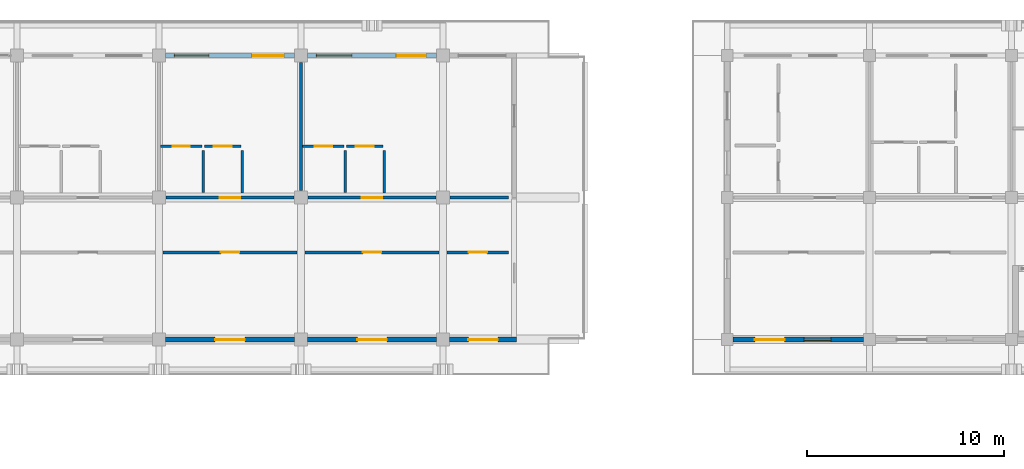
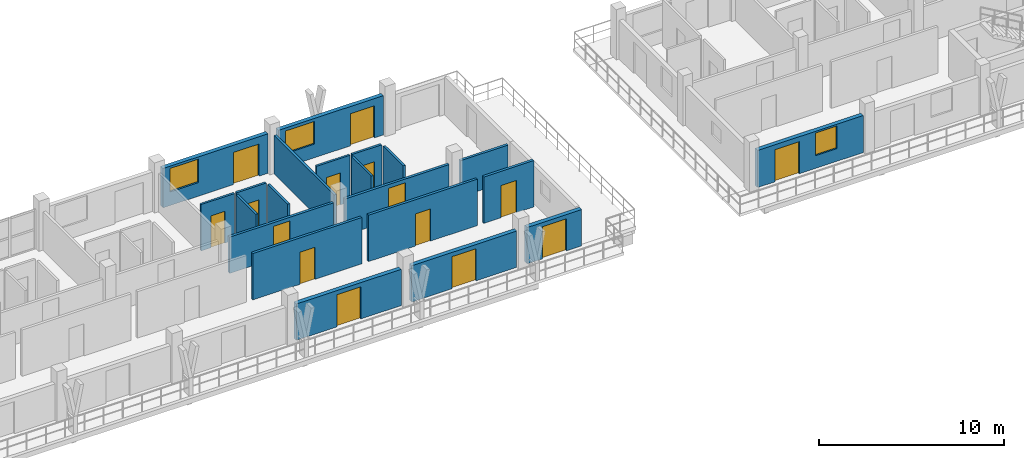
# One storey, part 47 of 75: 21 walls, 15 doors, 3 windows, 18 openings.
"""IFC4 building model written with IfcOpenShell, lengths in metres."""

from ifc_helpers import new_model, si_unit, direction, frame, frame_2d, origin, place, context, subcontext, project, spatial, rectangle, extrude, material, layer, layer_set, type_object, element, fill, save


model = new_model("IFC4")

# Units and contexts
model_context = context("Model", 3, precision=1e-05, world=origin(), true_north=direction((0.0, 1.0)))
body_context = subcontext(model_context, "Body", "Model", "MODEL_VIEW")
ifc_project = project(units=[si_unit("LENGTHUNIT", "METRE"), si_unit("AREAUNIT", "SQUARE_METRE"), si_unit("VOLUMEUNIT", "CUBIC_METRE"), si_unit("PLANEANGLEUNIT", "RADIAN"), si_unit("MASSUNIT", "GRAM", prefix="KILO")], contexts=[model_context])

# Site, building, storey
site_placement = place(None, origin())
site = spatial("IfcSite", under=ifc_project, at=site_placement, CompositionType="ELEMENT")
building_placement = place(site_placement, origin())
building = spatial("IfcBuilding", under=site, at=building_placement, Name="Suanplinth Sawtooth Commons", CompositionType="ELEMENT")
storey_placement = place(building_placement, frame((0.0, 0.0, 18.60009765625)))
storey = spatial("IfcBuildingStorey", under=building, at=storey_placement, Name="L05", CompositionType="ELEMENT", Elevation=18.60009765625)

# Wall, openings, door, window
ifc_material_1 = material(Name="Precast concrete C40/50", Category="concrete")
ifc_layer_1 = layer(ifc_material_1, 0.260009765625, Name="Insulated precast courtyard facade wall 260mm")
ifc_layer_set_1 = layer_set([ifc_layer_1], Name="Precast concrete C40/50")
wall_type_1 = type_object("IfcWallType", Name="W-EX02", PredefinedType="ELEMENTEDWALL", material=ifc_layer_set_1)
wall_1_placement = place(storey_placement, frame((93.925048828125, 122.39990234375, 0.0), z_axis=(0.0, 0.0, 1.0), x_axis=(1.0, 0.0, 0.0)))
wall_1 = element("IfcWall", 1, at=wall_1_placement, inside=storey, type_object=wall_type_1, Name="Facade Wall W-L05-A-N-13", PredefinedType="ELEMENTEDWALL", context=body_context, shape_type="SweptSolid", body=[
    extrude(rectangle(XDim=6.550048828125, YDim=0.260009765625, at=frame_2d((3.27490234375, 0.0))), origin(), (0.0, 0.0, 1.0), 2.594970703125),
])
opening_1_placement = place(wall_1_placement, frame((4.39990234375, 0.0, 0.0)))
opening_1 = element("IfcOpeningElement", 2, at=opening_1_placement, cuts=wall_1, Name="Opening ED0413", PredefinedType="OPENING", context=body_context, shape_type="SweptSolid", body=[
    extrude(rectangle(XDim=1.60009765625, YDim=2.1201171875, at=frame_2d((0.800048828125, 1.06005859375))), frame((0.0, 0.14501953125, 0.0), z_axis=(0.0, -1.0, 0.0), x_axis=(1.0, 0.0, 0.0)), (0.0, 0.0, 1.0), 0.289794921875),
])
opening_2_placement = place(wall_1_placement, frame((0.449951171875, 0.0, 0.89990234375)))
opening_2 = element("IfcOpeningElement", 3, at=opening_2_placement, cuts=wall_1, Name="Opening W0505", PredefinedType="OPENING", context=body_context, shape_type="SweptSolid", body=[
    extrude(rectangle(XDim=1.75, YDim=1.550048828125, at=frame_2d((0.875, 0.77490234375))), frame((0.0, 0.14501953125, 0.0), z_axis=(0.0, -1.0, 0.0), x_axis=(1.0, 0.0, 0.0)), (0.0, 0.0, 1.0), 0.289794921875),
])
ifc_material_2 = material(Name="Anodized aluminium and low-E glass", Category="aluminium")
door_type_1 = type_object("IfcDoorType", Name="SD-02", OperationType="SLIDING_TO_RIGHT", PredefinedType="DOOR", material=ifc_material_2)
door_1_placement = place(opening_1_placement, frame((1.60009765625, 0.0, 0.0), z_axis=(0.0, 0.0, 1.0), x_axis=(-1.0, 0.0, 0.0)))
door_1 = element("IfcDoor", 4, at=door_1_placement, inside=storey, type_object=door_type_1, Name="Balcony Sliding Door L05-A-N-13", OperationType="SLIDING_TO_RIGHT", OverallHeight=2.1201171875, OverallWidth=1.60009765625, PredefinedType="DOOR", context=body_context, shape_type="SweptSolid", body=[
    extrude(rectangle(XDim=1.60009765625, YDim=2.1201171875, at=frame_2d((0.800048828125, 1.06005859375))), frame((0.0, 0.02490234375, 0.0), z_axis=(0.0, -1.0, 0.0), x_axis=(1.0, 0.0, 0.0)), (0.0, 0.0, 1.0), 0.050048828125),
])
fill(opening_1, door_1)
ifc_material_3 = material(Name="Thermally broken aluminium and low-E double glazing", Category="aluminium")
window_type_1 = type_object("IfcWindowType", Name="WN-26", PartitioningType="DOUBLE_PANEL_VERTICAL", PredefinedType="WINDOW", material=ifc_material_3)
window_1_placement = place(opening_2_placement, origin())
window_1 = element("IfcWindow", 5, at=window_1_placement, inside=storey, type_object=window_type_1, Name="Window L05-A-N-13", OverallHeight=1.550048828125, OverallWidth=1.75, PartitioningType="DOUBLE_PANEL_VERTICAL", PredefinedType="WINDOW", context=body_context, shape_type="SweptSolid", body=[
    extrude(rectangle(XDim=1.75, YDim=1.550048828125, at=frame_2d((0.875, 0.77490234375))), frame((0.0, 0.030029296875, 0.0), z_axis=(0.0, -1.0, 0.0), x_axis=(1.0, 0.0, 0.0)), (0.0, 0.0, 1.0), 0.06005859375),
])
fill(opening_2, window_1)

# Wall, opening, door
wall_2_placement = place(storey_placement, frame((93.925048828125, 108.0, 0.0), z_axis=(0.0, 0.0, 1.0), x_axis=(1.0, 0.0, 0.0)))
wall_2 = element("IfcWall", 6, at=wall_2_placement, inside=storey, type_object=wall_type_1, Name="Courtyard Wall W-L05-A-S-13", PredefinedType="ELEMENTEDWALL", context=body_context, shape_type="SweptSolid", body=[
    extrude(rectangle(XDim=6.550048828125, YDim=0.260009765625, at=frame_2d((3.27490234375, 0.0))), origin(), (0.0, 0.0, 1.0), 2.39501953125),
])
opening_3_placement = place(wall_2_placement, frame((2.52490234375, 0.0, 0.0)))
opening_3 = element("IfcOpeningElement", 7, at=opening_3_placement, cuts=wall_2, Name="Opening ED0414", PredefinedType="OPENING", context=body_context, shape_type="SweptSolid", body=[
    extrude(rectangle(XDim=1.5, YDim=2.1201171875, at=frame_2d((0.75, 1.06005859375))), frame((0.0, 0.14501953125, 0.0), z_axis=(0.0, -1.0, 0.0), x_axis=(1.0, 0.0, 0.0)), (0.0, 0.0, 1.0), 0.289794921875),
])
door_type_2 = type_object("IfcDoorType", Name="SD-03", OperationType="SLIDING_TO_LEFT", PredefinedType="DOOR", material=ifc_material_2)
door_2_placement = place(opening_3_placement, frame((1.5, 0.0, 0.0), z_axis=(0.0, 0.0, 1.0), x_axis=(-1.0, 0.0, 0.0)))
door_2 = element("IfcDoor", 8, at=door_2_placement, inside=storey, type_object=door_type_2, Name="Courtyard Balcony Sliding Door L05-A-S-13", OperationType="SLIDING_TO_LEFT", OverallHeight=2.1201171875, OverallWidth=1.5, PredefinedType="DOOR", context=body_context, shape_type="SweptSolid", body=[
    extrude(rectangle(XDim=1.5, YDim=2.1201171875, at=frame_2d((0.75, 1.06005859375))), frame((0.0, 0.02490234375, 0.0), z_axis=(0.0, -1.0, 0.0), x_axis=(1.0, 0.0, 0.0)), (0.0, 0.0, 1.0), 0.050048828125),
])
fill(opening_3, door_2)

# Wall, openings, door, window
wall_3_placement = place(storey_placement, frame((101.125, 122.39990234375, 0.0), z_axis=(0.0, 0.0, 1.0), x_axis=(1.0, 0.0, 0.0)))
wall_3 = element("IfcWall", 9, at=wall_3_placement, inside=storey, type_object=wall_type_1, Name="Facade Wall W-L05-A-N-14", PredefinedType="ELEMENTEDWALL", context=body_context, shape_type="SweptSolid", body=[
    extrude(rectangle(XDim=6.550048828125, YDim=0.260009765625, at=frame_2d((3.27490234375, 0.0))), origin(), (0.0, 0.0, 1.0), 2.594970703125),
])
opening_4_placement = place(wall_3_placement, frame((4.5, 0.0, 0.0)))
opening_4 = element("IfcOpeningElement", 10, at=opening_4_placement, cuts=wall_3, Name="Opening ED0415", PredefinedType="OPENING", context=body_context, shape_type="SweptSolid", body=[
    extrude(rectangle(XDim=1.5, YDim=2.1201171875, at=frame_2d((0.75, 1.06005859375))), frame((0.0, 0.14501953125, 0.0), z_axis=(0.0, -1.0, 0.0), x_axis=(1.0, 0.0, 0.0)), (0.0, 0.0, 1.0), 0.289794921875),
])
opening_5_placement = place(wall_3_placement, frame((0.449951171875, 0.0, 0.89990234375)))
opening_5 = element("IfcOpeningElement", 11, at=opening_5_placement, cuts=wall_3, Name="Opening W0506", PredefinedType="OPENING", context=body_context, shape_type="SweptSolid", body=[
    extrude(rectangle(XDim=1.800048828125, YDim=1.5, at=frame_2d((0.89990234375, 0.75))), frame((0.0, 0.14501953125, 0.0), z_axis=(0.0, -1.0, 0.0), x_axis=(1.0, 0.0, 0.0)), (0.0, 0.0, 1.0), 0.289794921875),
])
door_3_placement = place(opening_4_placement, frame((1.5, 0.0, 0.0), z_axis=(0.0, 0.0, 1.0), x_axis=(-1.0, 0.0, 0.0)))
door_3 = element("IfcDoor", 12, at=door_3_placement, inside=storey, type_object=door_type_2, Name="Balcony Sliding Door L05-A-N-14", OperationType="SLIDING_TO_LEFT", OverallHeight=2.1201171875, OverallWidth=1.5, PredefinedType="DOOR", context=body_context, shape_type="SweptSolid", body=[
    extrude(rectangle(XDim=1.5, YDim=2.1201171875, at=frame_2d((0.75, 1.06005859375))), frame((0.0, 0.02490234375, 0.0), z_axis=(0.0, -1.0, 0.0), x_axis=(1.0, 0.0, 0.0)), (0.0, 0.0, 1.0), 0.050048828125),
])
fill(opening_4, door_3)
window_type_2 = type_object("IfcWindowType", Name="WN-01", PartitioningType="DOUBLE_PANEL_VERTICAL", PredefinedType="WINDOW", material=ifc_material_3)
window_2_placement = place(opening_5_placement, origin())
window_2 = element("IfcWindow", 13, at=window_2_placement, inside=storey, type_object=window_type_2, Name="Window L05-A-N-14", OverallHeight=1.5, OverallWidth=1.800048828125, PartitioningType="DOUBLE_PANEL_VERTICAL", PredefinedType="WINDOW", context=body_context, shape_type="SweptSolid", body=[
    extrude(rectangle(XDim=1.800048828125, YDim=1.5, at=frame_2d((0.89990234375, 0.75))), frame((0.0, 0.030029296875, 0.0), z_axis=(0.0, -1.0, 0.0), x_axis=(1.0, 0.0, 0.0)), (0.0, 0.0, 1.0), 0.06005859375),
])
fill(opening_5, window_2)

# Wall, opening, door
wall_4_placement = place(storey_placement, frame((101.125, 108.0, 0.0), z_axis=(0.0, 0.0, 1.0), x_axis=(1.0, 0.0, 0.0)))
wall_4 = element("IfcWall", 14, at=wall_4_placement, inside=storey, type_object=wall_type_1, Name="Courtyard Wall W-L05-A-S-14", PredefinedType="ELEMENTEDWALL", context=body_context, shape_type="SweptSolid", body=[
    extrude(rectangle(XDim=6.550048828125, YDim=0.260009765625, at=frame_2d((3.27490234375, 0.0))), origin(), (0.0, 0.0, 1.0), 2.39501953125),
])
opening_6_placement = place(wall_4_placement, frame((2.52490234375, 0.0, 0.0)))
opening_6 = element("IfcOpeningElement", 15, at=opening_6_placement, cuts=wall_4, Name="Opening ED0416", PredefinedType="OPENING", context=body_context, shape_type="SweptSolid", body=[
    extrude(rectangle(XDim=1.5, YDim=2.1201171875, at=frame_2d((0.75, 1.06005859375))), frame((0.0, 0.14501953125, 0.0), z_axis=(0.0, -1.0, 0.0), x_axis=(1.0, 0.0, 0.0)), (0.0, 0.0, 1.0), 0.289794921875),
])
door_4_placement = place(opening_6_placement, frame((1.5, 0.0, 0.0), z_axis=(0.0, 0.0, 1.0), x_axis=(-1.0, 0.0, 0.0)))
door_4 = element("IfcDoor", 16, at=door_4_placement, inside=storey, type_object=door_type_2, Name="Courtyard Balcony Sliding Door L05-A-S-14", OperationType="SLIDING_TO_LEFT", OverallHeight=2.1201171875, OverallWidth=1.5, PredefinedType="DOOR", context=body_context, shape_type="SweptSolid", body=[
    extrude(rectangle(XDim=1.5, YDim=2.1201171875, at=frame_2d((0.75, 1.06005859375))), frame((0.0, 0.02490234375, 0.0), z_axis=(0.0, -1.0, 0.0), x_axis=(1.0, 0.0, 0.0)), (0.0, 0.0, 1.0), 0.050048828125),
])
fill(opening_6, door_4)

wall_5_placement = place(storey_placement, frame((108.324951171875, 108.0, 0.0), z_axis=(0.0, 0.0, 1.0), x_axis=(1.0, 0.0, 0.0)))
wall_5 = element("IfcWall", 17, at=wall_5_placement, inside=storey, type_object=wall_type_1, Name="Courtyard Wall W-L05-A-S-15", PredefinedType="ELEMENTEDWALL", context=body_context, shape_type="SweptSolid", body=[
    extrude(rectangle(XDim=3.405029296875, YDim=0.260009765625, at=frame_2d((1.70263671875, 0.0))), origin(), (0.0, 0.0, 1.0), 2.39501953125),
])
opening_7_placement = place(wall_5_placement, frame((0.951904296875, 0.0, 0.0)))
opening_7 = element("IfcOpeningElement", 18, at=opening_7_placement, cuts=wall_5, Name="Opening ED0418", PredefinedType="OPENING", context=body_context, shape_type="SweptSolid", body=[
    extrude(rectangle(XDim=1.5, YDim=2.1201171875, at=frame_2d((0.75, 1.06005859375))), frame((0.0, 0.14501953125, 0.0), z_axis=(0.0, -1.0, 0.0), x_axis=(1.0, 0.0, 0.0)), (0.0, 0.0, 1.0), 0.289794921875),
])
door_5_placement = place(opening_7_placement, frame((1.5, 0.0, 0.0), z_axis=(0.0, 0.0, 1.0), x_axis=(-1.0, 0.0, 0.0)))
door_5 = element("IfcDoor", 19, at=door_5_placement, inside=storey, type_object=door_type_2, Name="Courtyard Balcony Sliding Door L05-A-S-15", OperationType="SLIDING_TO_LEFT", OverallHeight=2.1201171875, OverallWidth=1.5, PredefinedType="DOOR", context=body_context, shape_type="SweptSolid", body=[
    extrude(rectangle(XDim=1.5, YDim=2.1201171875, at=frame_2d((0.75, 1.06005859375))), frame((0.0, 0.02490234375, 0.0), z_axis=(0.0, -1.0, 0.0), x_axis=(1.0, 0.0, 0.0)), (0.0, 0.0, 1.0), 0.050048828125),
])
fill(opening_7, door_5)

# Wall, openings, door, window
wall_6_placement = place(storey_placement, frame((122.699951171875, 108.0, 0.0), z_axis=(0.0, 0.0, 1.0), x_axis=(1.0, 0.0, 0.0)))
wall_6 = element("IfcWall", 20, at=wall_6_placement, inside=storey, type_object=wall_type_1, Name="Facade Wall W-L05-B-S-17-15", PredefinedType="ELEMENTEDWALL", context=body_context, shape_type="SweptSolid", body=[
    extrude(rectangle(XDim=6.60009765625, YDim=0.260009765625, at=frame_2d((3.300048828125, 0.0))), origin(), (0.0, 0.0, 1.0), 2.44482421875),
])
opening_8_placement = place(wall_6_placement, frame((1.10009765625, 0.0, 0.0)))
opening_8 = element("IfcOpeningElement", 21, at=opening_8_placement, cuts=wall_6, Name="Opening ED0421", PredefinedType="OPENING", context=body_context, shape_type="SweptSolid", body=[
    extrude(rectangle(XDim=1.5, YDim=2.1201171875, at=frame_2d((0.75, 1.06005859375))), frame((0.0, 0.14501953125, 0.0), z_axis=(0.0, -1.0, 0.0), x_axis=(1.0, 0.0, 0.0)), (0.0, 0.0, 1.0), 0.289794921875),
])
opening_9_placement = place(wall_6_placement, frame((3.60009765625, 0.0, 0.8349609375)))
opening_9 = element("IfcOpeningElement", 22, at=opening_9_placement, cuts=wall_6, Name="Opening W0509", PredefinedType="OPENING", context=body_context, shape_type="SweptSolid", body=[
    extrude(rectangle(XDim=1.35009765625, YDim=1.5, at=frame_2d((0.675048828125, 0.75))), frame((0.0, 0.14501953125, 0.0), z_axis=(0.0, -1.0, 0.0), x_axis=(1.0, 0.0, 0.0)), (0.0, 0.0, 1.0), 0.289794921875),
])
door_6_placement = place(opening_8_placement, frame((1.5, 0.0, 0.0), z_axis=(0.0, 0.0, 1.0), x_axis=(-1.0, 0.0, 0.0)))
door_6 = element("IfcDoor", 23, at=door_6_placement, inside=storey, type_object=door_type_2, Name="Courtyard Balcony Door L05-B-17", OperationType="SLIDING_TO_LEFT", OverallHeight=2.1201171875, OverallWidth=1.5, PredefinedType="DOOR", context=body_context, shape_type="SweptSolid", body=[
    extrude(rectangle(XDim=1.5, YDim=2.1201171875, at=frame_2d((0.75, 1.06005859375))), frame((0.0, 0.02490234375, 0.0), z_axis=(0.0, -1.0, 0.0), x_axis=(1.0, 0.0, 0.0)), (0.0, 0.0, 1.0), 0.050048828125),
])
fill(opening_8, door_6)
window_type_3 = type_object("IfcWindowType", Name="WN-14", PartitioningType="SINGLE_PANEL", PredefinedType="WINDOW", material=ifc_material_3)
window_3_placement = place(opening_9_placement, origin())
window_3 = element("IfcWindow", 24, at=window_3_placement, inside=storey, type_object=window_type_3, Name="Courtyard Window L05-B-17", OverallHeight=1.5, OverallWidth=1.35009765625, PartitioningType="SINGLE_PANEL", PredefinedType="WINDOW", context=body_context, shape_type="SweptSolid", body=[
    extrude(rectangle(XDim=1.35009765625, YDim=1.5, at=frame_2d((0.675048828125, 0.75))), frame((0.0, 0.030029296875, 0.0), z_axis=(0.0, -1.0, 0.0), x_axis=(1.0, 0.0, 0.0)), (0.0, 0.0, 1.0), 0.06005859375),
])
fill(opening_9, window_3)

# Wall, opening, door
ifc_layer_2 = layer(ifc_material_1, 0.159912109375, Name="Fire-rated corridor and lobby wall 160mm")
ifc_layer_set_2 = layer_set([ifc_layer_2], Name="Precast concrete C40/50")
wall_type_2 = type_object("IfcWallType", Name="W-FW01", PredefinedType="PARTITIONING", material=ifc_layer_set_2)
wall_7_placement = place(storey_placement, frame((93.955078125, 115.199951171875, 0.0), z_axis=(0.0, 0.0, 1.0), x_axis=(1.0, 0.0, 0.0)))
wall_7 = element("IfcWall", 25, at=wall_7_placement, inside=storey, type_object=wall_type_2, Name="W-A-L05-U10-COR", PredefinedType="PARTITIONING", context=body_context, shape_type="SweptSolid", body=[
    extrude(rectangle(XDim=6.489990234375, YDim=0.159912109375, at=frame_2d((3.2451171875, 0.0))), origin(), (0.0, 0.0, 1.0), 2.39501953125),
])
opening_10_placement = place(wall_7_placement, frame((2.719970703125, 0.0, 0.0)))
opening_10 = element("IfcOpeningElement", 26, at=opening_10_placement, cuts=wall_7, Name="Opening FD1230", PredefinedType="OPENING", context=body_context, shape_type="SweptSolid", body=[
    extrude(rectangle(XDim=1.050048828125, YDim=2.14990234375, at=frame_2d((0.52490234375, 1.074951171875))), frame((0.0, 0.0947265625, 0.0), z_axis=(0.0, -1.0, 0.0), x_axis=(1.0, 0.0, 0.0)), (0.0, 0.0, 1.0), 0.189697265625),
])
ifc_material_4 = material(Name="Teak hardwood fire-rated door assembly", Category="wood")
door_type_3 = type_object("IfcDoorType", Name="FD-04", OperationType="NOTDEFINED", PredefinedType="DOOR", material=ifc_material_4)
door_7_placement = place(opening_10_placement, origin())
door_7 = element("IfcDoor", 27, at=door_7_placement, inside=storey, type_object=door_type_3, Name="Unit Entrance Door FD1230", OperationType="SINGLE_SWING_RIGHT", OverallHeight=2.14990234375, OverallWidth=1.050048828125, PredefinedType="DOOR", context=body_context, shape_type="SweptSolid", body=[
    extrude(rectangle(XDim=1.050048828125, YDim=2.14990234375, at=frame_2d((0.52490234375, 1.074951171875))), frame((0.0, 0.02490234375, 0.0), z_axis=(0.0, -1.0, 0.0), x_axis=(1.0, 0.0, 0.0)), (0.0, 0.0, 1.0), 0.050048828125),
])
fill(opening_10, door_7)

wall_8_placement = place(storey_placement, frame((101.155029296875, 115.199951171875, 0.0), z_axis=(0.0, 0.0, 1.0), x_axis=(1.0, 0.0, 0.0)))
wall_8 = element("IfcWall", 28, at=wall_8_placement, inside=storey, type_object=wall_type_2, Name="W-A-L05-U11-COR-S1", PredefinedType="PARTITIONING", context=body_context, shape_type="SweptSolid", body=[
    extrude(rectangle(XDim=6.489990234375, YDim=0.159912109375, at=frame_2d((3.2451171875, 0.0))), origin(), (0.0, 0.0, 1.0), 2.39501953125),
])
opening_11_placement = place(wall_8_placement, frame((2.719970703125, 0.0, 0.0)))
opening_11 = element("IfcOpeningElement", 29, at=opening_11_placement, cuts=wall_8, Name="Opening FD1233", PredefinedType="OPENING", context=body_context, shape_type="SweptSolid", body=[
    extrude(rectangle(XDim=1.050048828125, YDim=2.14990234375, at=frame_2d((0.52490234375, 1.074951171875))), frame((0.0, 0.0947265625, 0.0), z_axis=(0.0, -1.0, 0.0), x_axis=(1.0, 0.0, 0.0)), (0.0, 0.0, 1.0), 0.189697265625),
])
door_8_placement = place(opening_11_placement, origin())
door_8 = element("IfcDoor", 30, at=door_8_placement, inside=storey, type_object=door_type_3, Name="Unit Entrance Door FD1233", OperationType="SINGLE_SWING_LEFT", OverallHeight=2.14990234375, OverallWidth=1.050048828125, PredefinedType="DOOR", context=body_context, shape_type="SweptSolid", body=[
    extrude(rectangle(XDim=1.050048828125, YDim=2.14990234375, at=frame_2d((0.52490234375, 1.074951171875))), frame((0.0, 0.02490234375, 0.0), z_axis=(0.0, -1.0, 0.0), x_axis=(1.0, 0.0, 0.0)), (0.0, 0.0, 1.0), 0.050048828125),
])
fill(opening_11, door_8)

# Wall
wall_9_placement = place(storey_placement, frame((108.35498046875, 115.199951171875, 0.0), z_axis=(0.0, 0.0, 1.0), x_axis=(1.0, 0.0, 0.0)))
element("IfcWall", 31, at=wall_9_placement, inside=storey, type_object=wall_type_2, Name="W-A-L05-U11-COR-S2", PredefinedType="PARTITIONING", context=body_context, shape_type="SweptSolid", body=[
    extrude(rectangle(XDim=2.965087890625, YDim=0.159912109375, at=frame_2d((1.482421875, 0.0))), origin(), (0.0, 0.0, 1.0), 2.39501953125),
])

# Wall, opening, door
wall_10_placement = place(storey_placement, frame((93.800048828125, 112.419921875, 0.0), z_axis=(0.0, 0.0, 1.0), x_axis=(1.0, 0.0, 0.0)))
wall_10 = element("IfcWall", 32, at=wall_10_placement, inside=storey, type_object=wall_type_2, Name="W-A-L05-COURTROOM-20-COR", PredefinedType="PARTITIONING", context=body_context, shape_type="SweptSolid", body=[
    extrude(rectangle(XDim=6.800048828125, YDim=0.159912109375, at=frame_2d((3.39990234375, 0.0))), origin(), (0.0, 0.0, 1.0), 3.059814453125),
])
opening_12_placement = place(wall_10_placement, frame((2.929931640625, 0.0, 0.0)))
opening_12 = element("IfcOpeningElement", 33, at=opening_12_placement, cuts=wall_10, Name="Opening D1245", PredefinedType="OPENING", context=body_context, shape_type="SweptSolid", body=[
    extrude(rectangle(XDim=0.93994140625, YDim=2.1201171875, at=frame_2d((0.469970703125, 1.06005859375))), frame((0.0, 0.0947265625, 0.0), z_axis=(0.0, -1.0, 0.0), x_axis=(1.0, 0.0, 0.0)), (0.0, 0.0, 1.0), 0.189697265625),
])
ifc_material_5 = material(Name="Teak hardwood", Category="wood")
door_type_4 = type_object("IfcDoorType", Name="D-15", OperationType="NOTDEFINED", PredefinedType="DOOR", material=ifc_material_5)
door_9_placement = place(opening_12_placement, frame((0.93994140625, 0.0, 0.0), z_axis=(0.0, 0.0, 1.0), x_axis=(-1.0, 0.0, 0.0)))
door_9 = element("IfcDoor", 34, at=door_9_placement, inside=storey, type_object=door_type_4, Name="Study Studio Door D1245", OperationType="SINGLE_SWING_LEFT", OverallHeight=2.1201171875, OverallWidth=0.93994140625, PredefinedType="DOOR", context=body_context, shape_type="SweptSolid", body=[
    extrude(rectangle(XDim=0.93994140625, YDim=2.1201171875, at=frame_2d((0.469970703125, 1.06005859375))), frame((0.0, 0.02490234375, 0.0), z_axis=(0.0, -1.0, 0.0), x_axis=(1.0, 0.0, 0.0)), (0.0, 0.0, 1.0), 0.050048828125),
])
fill(opening_12, door_9)

wall_11_placement = place(storey_placement, frame((101.0, 112.419921875, 0.0), z_axis=(0.0, 0.0, 1.0), x_axis=(1.0, 0.0, 0.0)))
wall_11 = element("IfcWall", 35, at=wall_11_placement, inside=storey, type_object=wall_type_2, Name="W-A-L05-COURTROOM-21-COR", PredefinedType="PARTITIONING", context=body_context, shape_type="SweptSolid", body=[
    extrude(rectangle(XDim=6.800048828125, YDim=0.159912109375, at=frame_2d((3.39990234375, 0.0))), origin(), (0.0, 0.0, 1.0), 3.059814453125),
])
opening_13_placement = place(wall_11_placement, frame((2.929931640625, 0.0, 0.0)))
opening_13 = element("IfcOpeningElement", 36, at=opening_13_placement, cuts=wall_11, Name="Opening D1246", PredefinedType="OPENING", context=body_context, shape_type="SweptSolid", body=[
    extrude(rectangle(XDim=0.93994140625, YDim=2.1201171875, at=frame_2d((0.469970703125, 1.06005859375))), frame((0.0, 0.0947265625, 0.0), z_axis=(0.0, -1.0, 0.0), x_axis=(1.0, 0.0, 0.0)), (0.0, 0.0, 1.0), 0.189697265625),
])
door_10_placement = place(opening_13_placement, frame((0.93994140625, 0.0, 0.0), z_axis=(0.0, 0.0, 1.0), x_axis=(-1.0, 0.0, 0.0)))
door_10 = element("IfcDoor", 37, at=door_10_placement, inside=storey, type_object=door_type_4, Name="Study Studio Door D1246", OperationType="SINGLE_SWING_RIGHT", OverallHeight=2.1201171875, OverallWidth=0.93994140625, PredefinedType="DOOR", context=body_context, shape_type="SweptSolid", body=[
    extrude(rectangle(XDim=0.93994140625, YDim=2.1201171875, at=frame_2d((0.469970703125, 1.06005859375))), frame((0.0, 0.02490234375, 0.0), z_axis=(0.0, -1.0, 0.0), x_axis=(1.0, 0.0, 0.0)), (0.0, 0.0, 1.0), 0.050048828125),
])
fill(opening_13, door_10)

wall_12_placement = place(storey_placement, frame((108.199951171875, 112.419921875, 0.0), z_axis=(0.0, 0.0, 1.0), x_axis=(1.0, 0.0, 0.0)))
wall_12 = element("IfcWall", 38, at=wall_12_placement, inside=storey, type_object=wall_type_2, Name="W-A-L05-COURTROOM-22-COR", PredefinedType="PARTITIONING", context=body_context, shape_type="SweptSolid", body=[
    extrude(rectangle(XDim=3.1201171875, YDim=0.159912109375, at=frame_2d((1.56005859375, 0.0))), origin(), (0.0, 0.0, 1.0), 3.059814453125),
])
opening_14_placement = place(wall_12_placement, frame((1.090087890625, 0.0, 0.0)))
opening_14 = element("IfcOpeningElement", 39, at=opening_14_placement, cuts=wall_12, Name="Opening D1247", PredefinedType="OPENING", context=body_context, shape_type="SweptSolid", body=[
    extrude(rectangle(XDim=0.93994140625, YDim=2.1201171875, at=frame_2d((0.469970703125, 1.06005859375))), frame((0.0, 0.0947265625, 0.0), z_axis=(0.0, -1.0, 0.0), x_axis=(1.0, 0.0, 0.0)), (0.0, 0.0, 1.0), 0.189697265625),
])
door_11_placement = place(opening_14_placement, frame((0.93994140625, 0.0, 0.0), z_axis=(0.0, 0.0, 1.0), x_axis=(-1.0, 0.0, 0.0)))
door_11 = element("IfcDoor", 40, at=door_11_placement, inside=storey, type_object=door_type_4, Name="Study Studio Door D1247", OperationType="SINGLE_SWING_LEFT", OverallHeight=2.1201171875, OverallWidth=0.93994140625, PredefinedType="DOOR", context=body_context, shape_type="SweptSolid", body=[
    extrude(rectangle(XDim=0.93994140625, YDim=2.1201171875, at=frame_2d((0.469970703125, 1.06005859375))), frame((0.0, 0.02490234375, 0.0), z_axis=(0.0, -1.0, 0.0), x_axis=(1.0, 0.0, 0.0)), (0.0, 0.0, 1.0), 0.050048828125),
])
fill(opening_14, door_11)

# Wall
ifc_layer_3 = layer(ifc_material_1, 0.14990234375, Name="Acoustic precast party demising wall 150mm")
ifc_layer_set_3 = layer_set([ifc_layer_3], Name="Precast concrete C40/50")
wall_type_3 = type_object("IfcWallType", Name="W-FW02", PredefinedType="PARTITIONING", material=ifc_layer_set_3)
wall_13_placement = place(storey_placement, frame((100.800048828125, 115.554931640625, 0.0), z_axis=(0.0, 0.0, 1.0), x_axis=(0.0, 1.0, 0.0)))
element("IfcWall", 41, at=wall_13_placement, inside=storey, type_object=wall_type_3, Name="W-A-L05-U10-PTY", PredefinedType="PARTITIONING", context=body_context, shape_type="SweptSolid", body=[
    extrude(rectangle(XDim=6.489990234375, YDim=0.14990234375, at=frame_2d((3.2451171875, 0.0))), origin(), (0.0, 0.0, 1.0), 2.544921875),
])

# Wall, opening, door
ifc_material_6 = material(Name="Gypsum plasterboard on steel stud", Category="steel")
ifc_layer_4 = layer(ifc_material_6, 0.139892578125, Name="Fire-rated kitchen partition 140mm")
ifc_layer_set_4 = layer_set([ifc_layer_4], Name="Gypsum plasterboard on steel stud")
wall_type_4 = type_object("IfcWallType", Name="W-PT01", PredefinedType="PARTITIONING", material=ifc_layer_set_4)
wall_14_placement = place(storey_placement, frame((95.89990234375, 117.800048828125, 0.0), z_axis=(0.0, 0.0, 1.0), x_axis=(1.0, 0.0, 0.0)))
wall_14 = element("IfcWall", 42, at=wall_14_placement, inside=storey, type_object=wall_type_4, Name="W-A-L05-U10-KIT1", PredefinedType="PARTITIONING", context=body_context, shape_type="SweptSolid", body=[
    extrude(rectangle(XDim=1.85009765625, YDim=0.139892578125, at=frame_2d((0.925048828125, 0.0))), origin(), (0.0, 0.0, 1.0), 3.059814453125),
])
opening_15_placement = place(wall_14_placement, frame((0.465087890625, 0.0, 0.0)))
opening_15 = element("IfcOpeningElement", 43, at=opening_15_placement, cuts=wall_14, Name="Opening D1232", PredefinedType="OPENING", context=body_context, shape_type="SweptSolid", body=[
    extrude(rectangle(XDim=0.919921875, YDim=2.10009765625, at=frame_2d((0.4599609375, 1.050048828125))), frame((0.0, 0.0849609375, 0.0), z_axis=(0.0, -1.0, 0.0), x_axis=(1.0, 0.0, 0.0)), (0.0, 0.0, 1.0), 0.169677734375),
])
door_type_5 = type_object("IfcDoorType", Name="D-02", OperationType="NOTDEFINED", PredefinedType="DOOR", material=ifc_material_5)
door_12_placement = place(opening_15_placement, frame((0.919921875, 0.0, 0.0), z_axis=(0.0, 0.0, 1.0), x_axis=(-1.0, 0.0, 0.0)))
door_12 = element("IfcDoor", 44, at=door_12_placement, inside=storey, type_object=door_type_5, Name="Kitchen Door D1232", OperationType="SINGLE_SWING_RIGHT", OverallHeight=2.10009765625, OverallWidth=0.919921875, PredefinedType="DOOR", context=body_context, shape_type="SweptSolid", body=[
    extrude(rectangle(XDim=0.919921875, YDim=2.10009765625, at=frame_2d((0.4599609375, 1.050048828125))), frame((0.0, 0.02490234375, 0.0), z_axis=(0.0, -1.0, 0.0), x_axis=(1.0, 0.0, 0.0)), (0.0, 0.0, 1.0), 0.050048828125),
])
fill(opening_15, door_12)

# Wall
wall_15_placement = place(storey_placement, frame((97.820068359375, 115.429931640625, 0.0), z_axis=(0.0, 0.0, 1.0), x_axis=(0.0, 1.0, 0.0)))
element("IfcWall", 45, at=wall_15_placement, inside=storey, type_object=wall_type_4, Name="W-A-L05-U10-KIT2", PredefinedType="PARTITIONING", context=body_context, shape_type="SweptSolid", body=[
    extrude(rectangle(XDim=2.150146484375, YDim=0.139892578125, at=frame_2d((1.0751953125, 0.0))), origin(), (0.0, 0.0, 1.0), 3.059814453125),
])

# Wall, opening, door
wall_16_placement = place(storey_placement, frame((103.10009765625, 117.800048828125, 0.0), z_axis=(0.0, 0.0, 1.0), x_axis=(1.0, 0.0, 0.0)))
wall_16 = element("IfcWall", 46, at=wall_16_placement, inside=storey, type_object=wall_type_4, Name="W-A-L05-U11-KIT1", PredefinedType="PARTITIONING", context=body_context, shape_type="SweptSolid", body=[
    extrude(rectangle(XDim=1.849853515625, YDim=0.139892578125, at=frame_2d((0.9248046875, 0.0))), origin(), (0.0, 0.0, 1.0), 3.059814453125),
])
opening_16_placement = place(wall_16_placement, frame((0.465087890625, 0.0, 0.0)))
opening_16 = element("IfcOpeningElement", 47, at=opening_16_placement, cuts=wall_16, Name="Opening D1235", PredefinedType="OPENING", context=body_context, shape_type="SweptSolid", body=[
    extrude(rectangle(XDim=0.919921875, YDim=2.10009765625, at=frame_2d((0.4599609375, 1.050048828125))), frame((0.0, 0.0849609375, 0.0), z_axis=(0.0, -1.0, 0.0), x_axis=(1.0, 0.0, 0.0)), (0.0, 0.0, 1.0), 0.169677734375),
])
door_13_placement = place(opening_16_placement, frame((0.919921875, 0.0, 0.0), z_axis=(0.0, 0.0, 1.0), x_axis=(-1.0, 0.0, 0.0)))
door_13 = element("IfcDoor", 48, at=door_13_placement, inside=storey, type_object=door_type_5, Name="Kitchen Door D1235", OperationType="SINGLE_SWING_LEFT", OverallHeight=2.10009765625, OverallWidth=0.919921875, PredefinedType="DOOR", context=body_context, shape_type="SweptSolid", body=[
    extrude(rectangle(XDim=0.919921875, YDim=2.10009765625, at=frame_2d((0.4599609375, 1.050048828125))), frame((0.0, 0.02490234375, 0.0), z_axis=(0.0, -1.0, 0.0), x_axis=(1.0, 0.0, 0.0)), (0.0, 0.0, 1.0), 0.050048828125),
])
fill(opening_16, door_13)

# Wall
wall_17_placement = place(storey_placement, frame((105.02001953125, 115.429931640625, 0.0), z_axis=(0.0, 0.0, 1.0), x_axis=(0.0, 1.0, 0.0)))
element("IfcWall", 49, at=wall_17_placement, inside=storey, type_object=wall_type_4, Name="W-A-L05-U11-KIT2", PredefinedType="PARTITIONING", context=body_context, shape_type="SweptSolid", body=[
    extrude(rectangle(XDim=2.150146484375, YDim=0.139892578125, at=frame_2d((1.0751953125, 0.0))), origin(), (0.0, 0.0, 1.0), 3.059814453125),
])

# Wall, opening, door
ifc_layer_5 = layer(ifc_material_6, 0.1298828125, Name="Moisture-resistant bathroom partition 130mm")
ifc_layer_set_5 = layer_set([ifc_layer_5], Name="Gypsum plasterboard on steel stud")
wall_type_5 = type_object("IfcWallType", Name="W-PT02", PredefinedType="PARTITIONING", material=ifc_layer_set_5)
wall_18_placement = place(storey_placement, frame((93.679931640625, 117.794921875, 0.0), z_axis=(0.0, 0.0, 1.0), x_axis=(1.0, 0.0, 0.0)))
wall_18 = element("IfcWall", 50, at=wall_18_placement, inside=storey, type_object=wall_type_5, Name="W-A-L05-U10-BTH1", PredefinedType="PARTITIONING", context=body_context, shape_type="SweptSolid", body=[
    extrude(rectangle(XDim=2.10009765625, YDim=0.1298828125, at=frame_2d((1.050048828125, 0.0))), origin(), (0.0, 0.0, 1.0), 3.059814453125),
])
opening_17_placement = place(wall_18_placement, frame((0.610107421875, 0.0, 0.0)))
opening_17 = element("IfcOpeningElement", 51, at=opening_17_placement, cuts=wall_18, Name="Opening D1231", PredefinedType="OPENING", context=body_context, shape_type="SweptSolid", body=[
    extrude(rectangle(XDim=0.8798828125, YDim=2.10009765625, at=frame_2d((0.43994140625, 1.050048828125))), frame((0.0, 0.079833984375, 0.0), z_axis=(0.0, -1.0, 0.0), x_axis=(1.0, 0.0, 0.0)), (0.0, 0.0, 1.0), 0.15966796875),
])
door_type_6 = type_object("IfcDoorType", Name="D-14", OperationType="NOTDEFINED", PredefinedType="DOOR", material=ifc_material_5)
door_14_placement = place(opening_17_placement, frame((0.8798828125, 0.0, 0.0), z_axis=(0.0, 0.0, 1.0), x_axis=(-1.0, 0.0, 0.0)))
door_14 = element("IfcDoor", 52, at=door_14_placement, inside=storey, type_object=door_type_6, Name="Bathroom Door D1231", OperationType="SINGLE_SWING_LEFT", OverallHeight=2.10009765625, OverallWidth=0.8798828125, PredefinedType="DOOR", context=body_context, shape_type="SweptSolid", body=[
    extrude(rectangle(XDim=0.8798828125, YDim=2.10009765625, at=frame_2d((0.43994140625, 1.050048828125))), frame((0.0, 0.02490234375, 0.0), z_axis=(0.0, -1.0, 0.0), x_axis=(1.0, 0.0, 0.0)), (0.0, 0.0, 1.0), 0.050048828125),
])
fill(opening_17, door_14)

# Wall
wall_19_placement = place(storey_placement, frame((95.844970703125, 115.4599609375, 0.0), z_axis=(0.0, 0.0, 1.0), x_axis=(0.0, 1.0, 0.0)))
element("IfcWall", 53, at=wall_19_placement, inside=storey, type_object=wall_type_5, Name="W-A-L05-U10-BTH2", PredefinedType="PARTITIONING", context=body_context, shape_type="SweptSolid", body=[
    extrude(rectangle(XDim=2.130126953125, YDim=0.1298828125, at=frame_2d((1.06494140625, 0.0))), origin(), (0.0, 0.0, 1.0), 3.059814453125),
])

# Wall, opening, door
wall_20_placement = place(storey_placement, frame((100.8798828125, 117.794921875, 0.0), z_axis=(0.0, 0.0, 1.0), x_axis=(1.0, 0.0, 0.0)))
wall_20 = element("IfcWall", 54, at=wall_20_placement, inside=storey, type_object=wall_type_5, Name="W-A-L05-U11-BTH1", PredefinedType="PARTITIONING", context=body_context, shape_type="SweptSolid", body=[
    extrude(rectangle(XDim=2.10009765625, YDim=0.1298828125, at=frame_2d((1.050048828125, 0.0))), origin(), (0.0, 0.0, 1.0), 3.059814453125),
])
opening_18_placement = place(wall_20_placement, frame((0.610107421875, 0.0, 0.0)))
opening_18 = element("IfcOpeningElement", 55, at=opening_18_placement, cuts=wall_20, Name="Opening D1234", PredefinedType="OPENING", context=body_context, shape_type="SweptSolid", body=[
    extrude(rectangle(XDim=0.8798828125, YDim=2.10009765625, at=frame_2d((0.43994140625, 1.050048828125))), frame((0.0, 0.079833984375, 0.0), z_axis=(0.0, -1.0, 0.0), x_axis=(1.0, 0.0, 0.0)), (0.0, 0.0, 1.0), 0.15966796875),
])
door_15_placement = place(opening_18_placement, frame((0.8798828125, 0.0, 0.0), z_axis=(0.0, 0.0, 1.0), x_axis=(-1.0, 0.0, 0.0)))
door_15 = element("IfcDoor", 56, at=door_15_placement, inside=storey, type_object=door_type_6, Name="Bathroom Door D1234", OperationType="SINGLE_SWING_RIGHT", OverallHeight=2.10009765625, OverallWidth=0.8798828125, PredefinedType="DOOR", context=body_context, shape_type="SweptSolid", body=[
    extrude(rectangle(XDim=0.8798828125, YDim=2.10009765625, at=frame_2d((0.43994140625, 1.050048828125))), frame((0.0, 0.02490234375, 0.0), z_axis=(0.0, -1.0, 0.0), x_axis=(1.0, 0.0, 0.0)), (0.0, 0.0, 1.0), 0.050048828125),
])
fill(opening_18, door_15)

# Wall
wall_21_placement = place(storey_placement, frame((103.044921875, 115.4599609375, 0.0), z_axis=(0.0, 0.0, 1.0), x_axis=(0.0, 1.0, 0.0)))
element("IfcWall", 57, at=wall_21_placement, inside=storey, type_object=wall_type_5, Name="W-A-L05-U11-BTH2", PredefinedType="PARTITIONING", context=body_context, shape_type="SweptSolid", body=[
    extrude(rectangle(XDim=2.130126953125, YDim=0.1298828125, at=frame_2d((1.06494140625, 0.0))), origin(), (0.0, 0.0, 1.0), 3.059814453125),
])

save(model, "model.ifc")
